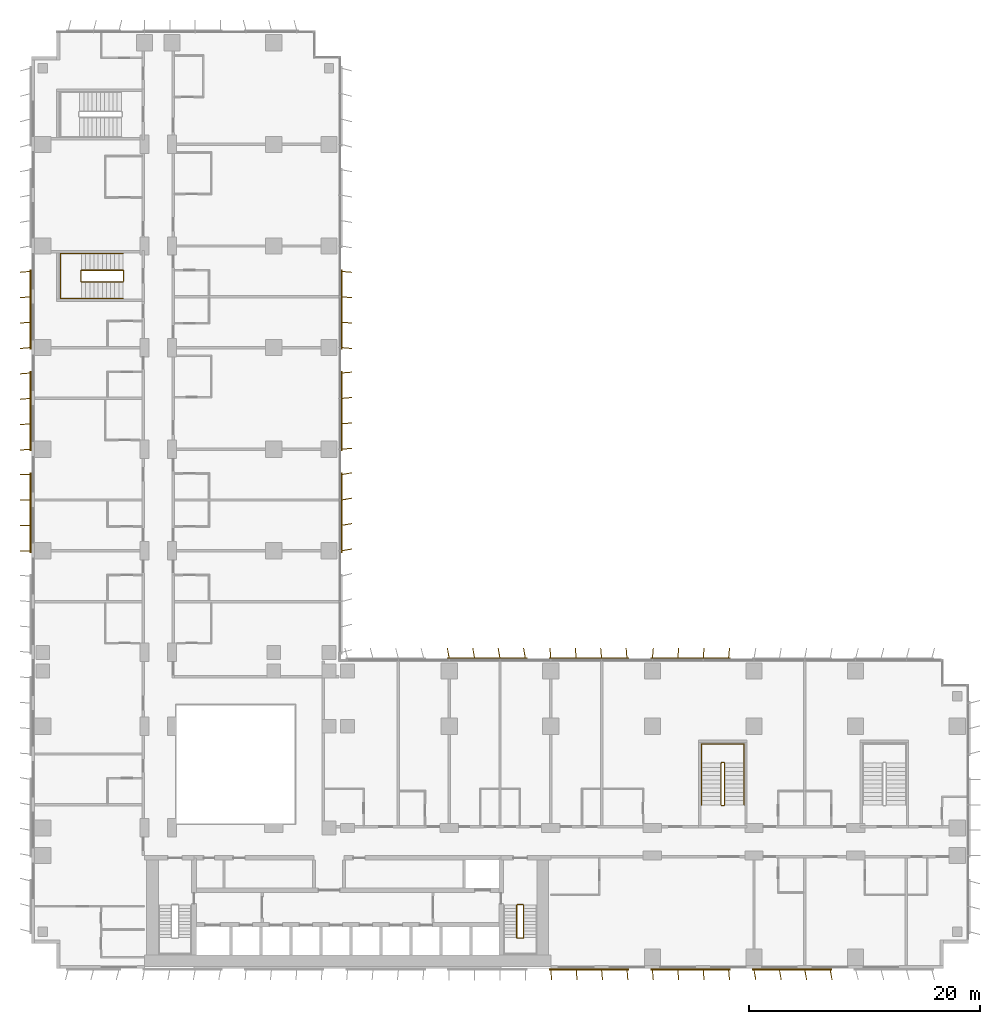
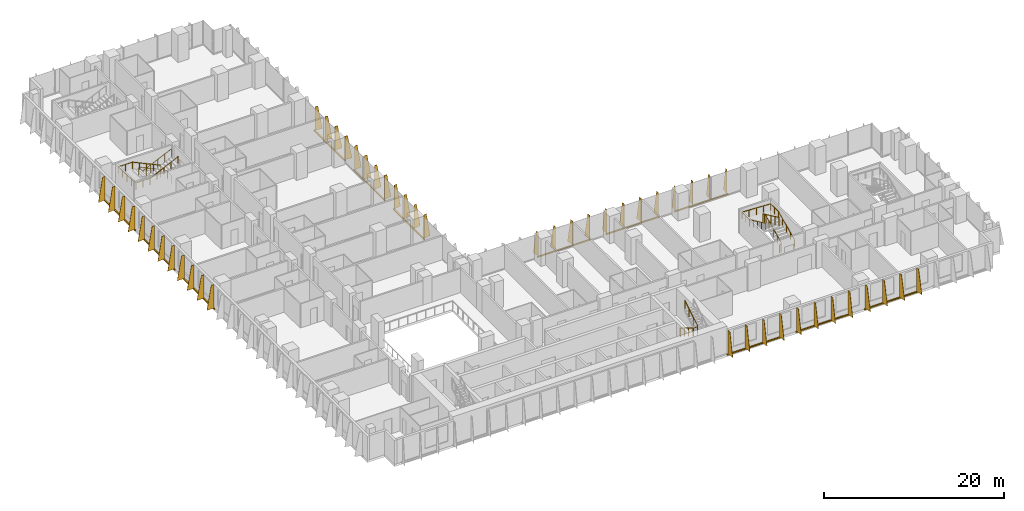
# One storey, part 21 of 23: 12 shading devices, 5 railings.
"""IFC4 building model written with IfcOpenShell, lengths in metres."""

from ifc_helpers import new_model, si_unit, direction, frame, origin, origin_2d, place, context, subcontext, project, spatial, polyline, rectangle, circle, outline, extrude, source, transform, mapped, material, layer, layer_set, type_object, element, save


model = new_model("IFC4")

# Units and contexts
model_context = context("Model", 3, precision=1e-05, world=origin(), true_north=direction((0.0, 1.0)))
body_context = subcontext(model_context, "Body", "Model", "MODEL_VIEW")
ifc_project = project(units=[si_unit("LENGTHUNIT", "METRE"), si_unit("AREAUNIT", "SQUARE_METRE"), si_unit("VOLUMEUNIT", "CUBIC_METRE"), si_unit("PLANEANGLEUNIT", "RADIAN"), si_unit("MASSUNIT", "GRAM", prefix="KILO")], contexts=[model_context])

# Site, building, storey
site_placement = place(None, origin())
site = spatial("IfcSite", under=ifc_project, at=site_placement, CompositionType="ELEMENT")
building_placement = place(site_placement, origin())
building = spatial("IfcBuilding", under=site, at=building_placement, Name="Kemantara Hotel Tower", CompositionType="ELEMENT")
storey_placement = place(building_placement, frame((0.0, 0.0, 67.300048828125)))
storey = spatial("IfcBuildingStorey", under=building, at=storey_placement, Name="L15", CompositionType="ELEMENT", Elevation=67.300048828125)

# Railings
ifc_material_1 = material(Name="Stainless steel balustrade", Category="steel")
railing_type_1 = type_object("IfcRailingType", Name="Stair guard 1100 mm", PredefinedType="GUARDRAIL", material=ifc_material_1)
railing_1_placement = place(storey_placement, frame((42.64990234375, 5.5, 3.699951171875)))
element("IfcRailing", 1, at=railing_1_placement, inside=storey, type_object=railing_type_1, Name="L15 ST2 stair guard 1", PredefinedType="GUARDRAIL", context=body_context, shape_type="SweptSolid", body=[
    extrude(circle(Radius=0.02392578125, at=origin_2d()), frame((0.0, 0.0, 1.076171875), z_axis=(0.0, -0.857242210791, -0.514913383045), x_axis=(1.0, 0.0, 0.0)), (0.0, 0.0, 1.0), 3.266357421875),
    extrude(circle(Radius=0.02392578125, at=origin_2d()), frame((0.0, -2.800048828125, -0.60595703125), z_axis=(-0.273006030465, -0.27434429532, -0.922064485248), x_axis=(0.708833529934, -0.705375805398, 0.0)), (0.0, 0.0, 1.0), 0.182373046875),
    extrude(circle(Radius=0.02392578125, at=origin_2d()), frame((-0.0498046875, -2.85009765625, -0.77392578125), z_axis=(-1.0, 0.0, 0.0), x_axis=(0.0, -1.0, 0.0)), (0.0, 0.0, 1.0), 0.5),
    extrude(circle(Radius=0.02392578125, at=origin_2d()), frame((-0.5498046875, -2.85009765625, -0.77392578125), z_axis=(-0.707106781187, 0.707106781187, 0.0), x_axis=(-0.707106781187, -0.707106781187, 0.0)), (0.0, 0.0, 1.0), 0.07080078125),
    extrude(circle(Radius=0.02392578125, at=origin_2d()), frame((-0.599853515625, -2.800048828125, -0.77392578125), z_axis=(0.0, 0.857275202839, -0.514858452973), x_axis=(-1.0, 0.0, 0.0)), (0.0, 0.0, 1.0), 3.26611328125),
    extrude(circle(Radius=0.02392578125, at=origin_2d()), frame((-0.599853515625, 0.0, -2.45556640625), z_axis=(0.274243871929, 0.274243871929, -0.92172696468), x_axis=(-0.707106781187, 0.707106781187, 0.0)), (0.0, 0.0, 1.0), 0.1826171875),
    extrude(circle(Radius=0.02392578125, at=origin_2d()), frame((-0.5498046875, 0.050048828125, -2.6240234375), z_axis=(1.0, 0.0, 0.0), x_axis=(0.0, 1.0, 0.0)), (0.0, 0.0, 1.0), 0.5),
    extrude(circle(Radius=0.02099609375, at=origin_2d()), origin(), (0.0, 0.0, 1.0), 1.052001953125),
    extrude(circle(Radius=0.02099609375, at=origin_2d()), frame((0.0, -0.933349609375, -0.560546875)), (0.0, 0.0, 1.0), 1.052001953125),
    extrude(circle(Radius=0.02099609375, at=origin_2d()), frame((0.0, -1.86669921875, -1.121337890625)), (0.0, 0.0, 1.0), 1.052001953125),
    extrude(circle(Radius=0.02099609375, at=origin_2d()), frame((0.0, -2.800048828125, -1.681884765625)), (0.0, 0.0, 1.0), 1.052001953125),
    extrude(circle(Radius=0.02099609375, at=origin_2d()), frame((-0.0498046875, -2.85009765625, -1.85009765625)), (0.0, 0.0, 1.0), 1.052001953125),
    extrude(circle(Radius=0.02099609375, at=origin_2d()), frame((-0.5498046875, -2.85009765625, -1.85009765625)), (0.0, 0.0, 1.0), 1.052001953125),
    extrude(circle(Radius=0.02099609375, at=origin_2d()), frame((-0.599853515625, -2.800048828125, -1.85009765625)), (0.0, 0.0, 1.0), 1.052001953125),
    extrude(circle(Radius=0.02099609375, at=origin_2d()), frame((-0.599853515625, -1.86669921875, -2.41064453125)), (0.0, 0.0, 1.0), 1.052001953125),
    extrude(circle(Radius=0.02099609375, at=origin_2d()), frame((-0.599853515625, -0.933349609375, -2.97119140625)), (0.0, 0.0, 1.0), 1.052001953125),
    extrude(circle(Radius=0.02099609375, at=origin_2d()), frame((-0.599853515625, 0.0, -3.53173828125)), (0.0, 0.0, 1.0), 1.052001953125),
    extrude(circle(Radius=0.02099609375, at=origin_2d()), frame((-0.5498046875, 0.050048828125, -3.699951171875)), (0.0, 0.0, 1.0), 1.052001953125),
    extrude(circle(Radius=0.02099609375, at=origin_2d()), frame((-0.0498046875, 0.050048828125, -3.699951171875)), (0.0, 0.0, 1.0), 1.052001953125),
])
railing_2_placement = place(storey_placement, frame((59.75, 14.199951171875, 3.699951171875)))
element("IfcRailing", 2, at=railing_2_placement, inside=storey, type_object=railing_type_1, Name="L15 ST3 stair guard 1", PredefinedType="GUARDRAIL", context=body_context, shape_type="SweptSolid", body=[
    extrude(circle(Radius=0.02392578125, at=origin_2d()), frame((0.0, 0.0, 1.076171875), z_axis=(0.0, 0.906005689286, -0.423265508849), x_axis=(-1.0, 0.0, 0.0)), (0.0, 0.0, 1.0), 3.9736328125),
    extrude(circle(Radius=0.02392578125, at=origin_2d()), frame((0.0, 3.60009765625, -0.60595703125), z_axis=(0.274243871929, 0.274243871929, -0.92172696468), x_axis=(-0.707106781187, 0.707106781187, 0.0)), (0.0, 0.0, 1.0), 0.1826171875),
    extrude(circle(Radius=0.02392578125, at=origin_2d()), frame((0.050048828125, 3.650146484375, -0.77392578125), z_axis=(1.0, 0.0, 0.0), x_axis=(0.0, 1.0, 0.0)), (0.0, 0.0, 1.0), 0.199951171875),
    extrude(circle(Radius=0.02392578125, at=origin_2d()), frame((0.25, 3.650146484375, -0.77392578125), z_axis=(0.707106781187, -0.707106781187, 0.0), x_axis=(0.707106781187, 0.707106781187, 0.0)), (0.0, 0.0, 1.0), 0.07080078125),
    extrude(circle(Radius=0.02392578125, at=origin_2d()), frame((0.300048828125, 3.60009765625, -0.77392578125), z_axis=(0.0, -0.906029249863, -0.423215073447), x_axis=(1.0, 0.0, 0.0)), (0.0, 0.0, 1.0), 3.973388671875),
    extrude(circle(Radius=0.02392578125, at=origin_2d()), frame((0.300048828125, 0.0, -2.45556640625), z_axis=(-0.274243871929, -0.274243871929, -0.92172696468), x_axis=(0.707106781187, -0.707106781187, 0.0)), (0.0, 0.0, 1.0), 0.1826171875),
    extrude(circle(Radius=0.02392578125, at=origin_2d()), frame((0.25, -0.050048828125, -2.6240234375), z_axis=(-1.0, 0.0, 0.0), x_axis=(0.0, -1.0, 0.0)), (0.0, 0.0, 1.0), 0.199951171875),
    extrude(circle(Radius=0.02099609375, at=origin_2d()), origin(), (0.0, 0.0, 1.0), 1.052001953125),
    extrude(circle(Radius=0.02099609375, at=origin_2d()), frame((0.0, 0.89990234375, -0.42041015625)), (0.0, 0.0, 1.0), 1.052001953125),
    extrude(circle(Radius=0.02099609375, at=origin_2d()), frame((0.0, 1.800048828125, -0.8408203125)), (0.0, 0.0, 1.0), 1.052001953125),
    extrude(circle(Radius=0.02099609375, at=origin_2d()), frame((0.0, 2.7001953125, -1.261474609375)), (0.0, 0.0, 1.0), 1.052001953125),
    extrude(circle(Radius=0.02099609375, at=origin_2d()), frame((0.0, 3.60009765625, -1.681884765625)), (0.0, 0.0, 1.0), 1.052001953125),
    extrude(circle(Radius=0.02099609375, at=origin_2d()), frame((0.050048828125, 3.650146484375, -1.85009765625)), (0.0, 0.0, 1.0), 1.052001953125),
    extrude(circle(Radius=0.02099609375, at=origin_2d()), frame((0.25, 3.650146484375, -1.85009765625)), (0.0, 0.0, 1.0), 1.052001953125),
    extrude(circle(Radius=0.02099609375, at=origin_2d()), frame((0.300048828125, 3.60009765625, -1.85009765625)), (0.0, 0.0, 1.0), 1.052001953125),
    extrude(circle(Radius=0.02099609375, at=origin_2d()), frame((0.300048828125, 2.7001953125, -2.2705078125)), (0.0, 0.0, 1.0), 1.052001953125),
    extrude(circle(Radius=0.02099609375, at=origin_2d()), frame((0.300048828125, 1.800048828125, -2.69091796875)), (0.0, 0.0, 1.0), 1.052001953125),
    extrude(circle(Radius=0.02099609375, at=origin_2d()), frame((0.300048828125, 0.89990234375, -3.111328125)), (0.0, 0.0, 1.0), 1.052001953125),
    extrude(circle(Radius=0.02099609375, at=origin_2d()), frame((0.300048828125, 0.0, -3.53173828125)), (0.0, 0.0, 1.0), 1.052001953125),
    extrude(circle(Radius=0.02099609375, at=origin_2d()), frame((0.25, -0.050048828125, -3.699951171875)), (0.0, 0.0, 1.0), 1.052001953125),
    extrude(circle(Radius=0.02099609375, at=origin_2d()), frame((0.050048828125, -0.050048828125, -3.699951171875)), (0.0, 0.0, 1.0), 1.052001953125),
])
railing_3_placement = place(storey_placement, frame((7.949951171875, 59.5, 3.699951171875)))
element("IfcRailing", 3, at=railing_3_placement, inside=storey, type_object=railing_type_1, Name="L15 ST4 stair guard 1", PredefinedType="GUARDRAIL", context=body_context, shape_type="SweptSolid", body=[
    extrude(circle(Radius=0.02392578125, at=origin_2d()), frame((0.0, 0.0, 1.076171875), z_axis=(-0.905994681025, 0.0, -0.423289071386), x_axis=(0.0, -1.0, 0.0)), (0.0, 0.0, 1.0), 3.973388671875),
    extrude(circle(Radius=0.02392578125, at=origin_2d()), frame((-3.599853515625, 0.0, -0.60595703125), z_axis=(-0.274243871929, 0.274243871929, -0.92172696468), x_axis=(-0.707106781187, -0.707106781187, 0.0)), (0.0, 0.0, 1.0), 0.1826171875),
    extrude(circle(Radius=0.02392578125, at=origin_2d()), frame((-3.64990234375, 0.050048828125, -0.77392578125), z_axis=(0.0, 1.0, 0.0), x_axis=(-1.0, 0.0, 0.0)), (0.0, 0.0, 1.0), 0.89990234375),
    extrude(circle(Radius=0.02392578125, at=origin_2d()), frame((-3.64990234375, 0.949951171875, -0.77392578125), z_axis=(0.707106781187, 0.707106781187, 0.0), x_axis=(-0.707106781187, 0.707106781187, 0.0)), (0.0, 0.0, 1.0), 0.07080078125),
    extrude(circle(Radius=0.02392578125, at=origin_2d()), frame((-3.599853515625, 1.0, -0.77392578125), z_axis=(0.906018243939, 0.0, -0.423238634402), x_axis=(0.0, 1.0, 0.0)), (0.0, 0.0, 1.0), 3.973388671875),
    extrude(circle(Radius=0.02392578125, at=origin_2d()), frame((0.0, 1.0, -2.45556640625), z_axis=(0.274243871929, -0.274243871929, -0.92172696468), x_axis=(0.707106781187, 0.707106781187, 0.0)), (0.0, 0.0, 1.0), 0.1826171875),
    extrude(circle(Radius=0.02392578125, at=origin_2d()), frame((0.050048828125, 0.949951171875, -2.6240234375), z_axis=(0.0, -1.0, 0.0), x_axis=(1.0, 0.0, 0.0)), (0.0, 0.0, 1.0), 0.89990234375),
    extrude(circle(Radius=0.02099609375, at=origin_2d()), origin(), (0.0, 0.0, 1.0), 1.052001953125),
    extrude(circle(Radius=0.02099609375, at=origin_2d()), frame((-0.89990234375, 0.0, -0.42041015625)), (0.0, 0.0, 1.0), 1.052001953125),
    extrude(circle(Radius=0.02099609375, at=origin_2d()), frame((-1.7998046875, 0.0, -0.8408203125)), (0.0, 0.0, 1.0), 1.052001953125),
    extrude(circle(Radius=0.02099609375, at=origin_2d()), frame((-2.699951171875, 0.0, -1.261474609375)), (0.0, 0.0, 1.0), 1.052001953125),
    extrude(circle(Radius=0.02099609375, at=origin_2d()), frame((-3.599853515625, 0.0, -1.681884765625)), (0.0, 0.0, 1.0), 1.052001953125),
    extrude(circle(Radius=0.02099609375, at=origin_2d()), frame((-3.64990234375, 0.050048828125, -1.85009765625)), (0.0, 0.0, 1.0), 1.052001953125),
    extrude(circle(Radius=0.02099609375, at=origin_2d()), frame((-3.64990234375, 0.949951171875, -1.85009765625)), (0.0, 0.0, 1.0), 1.052001953125),
    extrude(circle(Radius=0.02099609375, at=origin_2d()), frame((-3.599853515625, 1.0, -1.85009765625)), (0.0, 0.0, 1.0), 1.052001953125),
    extrude(circle(Radius=0.02099609375, at=origin_2d()), frame((-2.699951171875, 1.0, -2.2705078125)), (0.0, 0.0, 1.0), 1.052001953125),
    extrude(circle(Radius=0.02099609375, at=origin_2d()), frame((-1.7998046875, 1.0, -2.69091796875)), (0.0, 0.0, 1.0), 1.052001953125),
    extrude(circle(Radius=0.02099609375, at=origin_2d()), frame((-0.89990234375, 1.0, -3.111328125)), (0.0, 0.0, 1.0), 1.052001953125),
    extrude(circle(Radius=0.02099609375, at=origin_2d()), frame((0.0, 1.0, -3.53173828125)), (0.0, 0.0, 1.0), 1.052001953125),
    extrude(circle(Radius=0.02099609375, at=origin_2d()), frame((0.050048828125, 0.949951171875, -3.699951171875)), (0.0, 0.0, 1.0), 1.052001953125),
    extrude(circle(Radius=0.02099609375, at=origin_2d()), frame((0.050048828125, 0.050048828125, -3.699951171875)), (0.0, 0.0, 1.0), 1.052001953125),
])
railing_type_2 = type_object("IfcRailingType", Name="Stair handrail 900 mm", PredefinedType="HANDRAIL", material=ifc_material_1)
railing_4_placement = place(storey_placement, frame((61.75, 14.199951171875, 0.168212890625)))
element("IfcRailing", 4, at=railing_4_placement, inside=storey, type_object=railing_type_2, Name="L15 ST3 stair handrail 1", PredefinedType="HANDRAIL", context=body_context, shape_type="SweptSolid", body=[
    extrude(circle(Radius=0.02392578125, at=origin_2d()), frame((0.0, 0.0, 0.8759765625), z_axis=(0.0, 0.906029249863, 0.423215073447), x_axis=(-1.0, 0.0, 0.0)), (0.0, 0.0, 1.0), 3.973388671875),
    extrude(circle(Radius=0.02392578125, at=origin_2d()), frame((0.0, 3.60009765625, 2.5576171875), z_axis=(0.0, 1.0, 0.0), x_axis=(-1.0, 0.0, 0.0)), (0.0, 0.0, 1.0), 1.679931640625),
    extrude(circle(Radius=0.02392578125, at=origin_2d()), frame((0.0, 5.280029296875, 2.5576171875), z_axis=(-0.998968132438, 0.0, 0.045416631029), x_axis=(0.0, -1.0, 0.0)), (0.0, 0.0, 1.0), 3.703857421875),
    extrude(circle(Radius=0.02392578125, at=origin_2d()), frame((-3.699951171875, 5.280029296875, 2.7255859375), z_axis=(0.0, -1.0, 0.0), x_axis=(1.0, 0.0, 0.0)), (0.0, 0.0, 1.0), 1.679931640625),
    extrude(circle(Radius=0.02392578125, at=origin_2d()), frame((-3.699951171875, 3.60009765625, 2.7255859375), z_axis=(0.0, -0.906005689286, 0.423265508849), x_axis=(1.0, 0.0, 0.0)), (0.0, 0.0, 1.0), 3.9736328125),
    extrude(circle(Radius=0.02099609375, at=origin_2d()), origin(), (0.0, 0.0, 1.0), 0.851806640625),
    extrude(circle(Radius=0.02099609375, at=origin_2d()), frame((0.0, 0.89990234375, 0.42041015625)), (0.0, 0.0, 1.0), 0.851806640625),
    extrude(circle(Radius=0.02099609375, at=origin_2d()), frame((0.0, 1.800048828125, 0.8408203125)), (0.0, 0.0, 1.0), 0.851806640625),
    extrude(circle(Radius=0.02099609375, at=origin_2d()), frame((0.0, 2.7001953125, 1.26123046875)), (0.0, 0.0, 1.0), 0.851806640625),
    extrude(circle(Radius=0.02099609375, at=origin_2d()), frame((0.0, 3.60009765625, 1.681640625)), (0.0, 0.0, 1.0), 0.851806640625),
    extrude(circle(Radius=0.02099609375, at=origin_2d()), frame((0.0, 4.43994140625, 1.681640625)), (0.0, 0.0, 1.0), 0.851806640625),
    extrude(circle(Radius=0.02099609375, at=origin_2d()), frame((0.0, 5.280029296875, 1.681640625)), (0.0, 0.0, 1.0), 0.851806640625),
    extrude(circle(Radius=0.02099609375, at=origin_2d()), frame((-0.925048828125, 5.280029296875, 1.7236328125)), (0.0, 0.0, 1.0), 0.851806640625),
    extrude(circle(Radius=0.02099609375, at=origin_2d()), frame((-1.85009765625, 5.280029296875, 1.765625)), (0.0, 0.0, 1.0), 0.851806640625),
    extrude(circle(Radius=0.02099609375, at=origin_2d()), frame((-2.77490234375, 5.280029296875, 1.807861328125)), (0.0, 0.0, 1.0), 0.851806640625),
    extrude(circle(Radius=0.02099609375, at=origin_2d()), frame((-3.699951171875, 5.280029296875, 1.849853515625)), (0.0, 0.0, 1.0), 0.851806640625),
    extrude(circle(Radius=0.02099609375, at=origin_2d()), frame((-3.699951171875, 4.43994140625, 1.849853515625)), (0.0, 0.0, 1.0), 0.851806640625),
    extrude(circle(Radius=0.02099609375, at=origin_2d()), frame((-3.699951171875, 3.60009765625, 1.849853515625)), (0.0, 0.0, 1.0), 0.851806640625),
    extrude(circle(Radius=0.02099609375, at=origin_2d()), frame((-3.699951171875, 2.7001953125, 2.270263671875)), (0.0, 0.0, 1.0), 0.851806640625),
    extrude(circle(Radius=0.02099609375, at=origin_2d()), frame((-3.699951171875, 1.800048828125, 2.69091796875)), (0.0, 0.0, 1.0), 0.851806640625),
    extrude(circle(Radius=0.02099609375, at=origin_2d()), frame((-3.699951171875, 0.89990234375, 3.111328125)), (0.0, 0.0, 1.0), 0.851806640625),
    extrude(circle(Radius=0.02099609375, at=origin_2d()), frame((-3.699951171875, 0.0, 3.53173828125)), (0.0, 0.0, 1.0), 0.851806640625),
])
railing_5_placement = place(storey_placement, frame((7.949951171875, 61.949951171875, 0.168212890625)))
element("IfcRailing", 5, at=railing_5_placement, inside=storey, type_object=railing_type_2, Name="L15 ST4 stair handrail 1", PredefinedType="HANDRAIL", context=body_context, shape_type="SweptSolid", body=[
    extrude(circle(Radius=0.02392578125, at=origin_2d()), frame((0.0, 0.0, 0.8759765625), z_axis=(-0.906018243939, 0.0, 0.423238634402), x_axis=(0.0, -1.0, 0.0)), (0.0, 0.0, 1.0), 3.973388671875),
    extrude(circle(Radius=0.02392578125, at=origin_2d()), frame((-3.599853515625, 0.0, 2.5576171875), z_axis=(-1.0, 0.0, 0.0), x_axis=(0.0, -1.0, 0.0)), (0.0, 0.0, 1.0), 1.830078125),
    extrude(circle(Radius=0.02392578125, at=origin_2d()), frame((-5.429931640625, 0.0, 2.5576171875), z_axis=(0.0, -0.999071085748, 0.043092523981), x_axis=(1.0, 0.0, 0.0)), (0.0, 0.0, 1.0), 3.903564453125),
    extrude(circle(Radius=0.02392578125, at=origin_2d()), frame((-5.429931640625, -3.89990234375, 2.7255859375), z_axis=(1.0, 0.0, 0.0), x_axis=(0.0, 1.0, 0.0)), (0.0, 0.0, 1.0), 1.830078125),
    extrude(circle(Radius=0.02392578125, at=origin_2d()), frame((-3.599853515625, -3.89990234375, 2.7255859375), z_axis=(0.905994681025, 0.0, 0.423289071386), x_axis=(0.0, 1.0, 0.0)), (0.0, 0.0, 1.0), 3.973388671875),
    extrude(circle(Radius=0.02099609375, at=origin_2d()), origin(), (0.0, 0.0, 1.0), 0.851806640625),
    extrude(circle(Radius=0.02099609375, at=origin_2d()), frame((-0.89990234375, 0.0, 0.42041015625)), (0.0, 0.0, 1.0), 0.851806640625),
    extrude(circle(Radius=0.02099609375, at=origin_2d()), frame((-1.7998046875, 0.0, 0.8408203125)), (0.0, 0.0, 1.0), 0.851806640625),
    extrude(circle(Radius=0.02099609375, at=origin_2d()), frame((-2.699951171875, 0.0, 1.26123046875)), (0.0, 0.0, 1.0), 0.851806640625),
    extrude(circle(Radius=0.02099609375, at=origin_2d()), frame((-3.599853515625, 0.0, 1.681640625)), (0.0, 0.0, 1.0), 0.851806640625),
    extrude(circle(Radius=0.02099609375, at=origin_2d()), frame((-4.514892578125, 0.0, 1.681640625)), (0.0, 0.0, 1.0), 0.851806640625),
    extrude(circle(Radius=0.02099609375, at=origin_2d()), frame((-5.429931640625, 0.0, 1.681640625)), (0.0, 0.0, 1.0), 0.851806640625),
    extrude(circle(Radius=0.02099609375, at=origin_2d()), frame((-5.429931640625, -0.97509765625, 1.7236328125)), (0.0, 0.0, 1.0), 0.851806640625),
    extrude(circle(Radius=0.02099609375, at=origin_2d()), frame((-5.429931640625, -1.949951171875, 1.765625)), (0.0, 0.0, 1.0), 0.851806640625),
    extrude(circle(Radius=0.02099609375, at=origin_2d()), frame((-5.429931640625, -2.9248046875, 1.807861328125)), (0.0, 0.0, 1.0), 0.851806640625),
    extrude(circle(Radius=0.02099609375, at=origin_2d()), frame((-5.429931640625, -3.89990234375, 1.849853515625)), (0.0, 0.0, 1.0), 0.851806640625),
    extrude(circle(Radius=0.02099609375, at=origin_2d()), frame((-4.514892578125, -3.89990234375, 1.849853515625)), (0.0, 0.0, 1.0), 0.851806640625),
    extrude(circle(Radius=0.02099609375, at=origin_2d()), frame((-3.599853515625, -3.89990234375, 1.849853515625)), (0.0, 0.0, 1.0), 0.851806640625),
    extrude(circle(Radius=0.02099609375, at=origin_2d()), frame((-2.699951171875, -3.89990234375, 2.270263671875)), (0.0, 0.0, 1.0), 0.851806640625),
    extrude(circle(Radius=0.02099609375, at=origin_2d()), frame((-1.7998046875, -3.89990234375, 2.69091796875)), (0.0, 0.0, 1.0), 0.851806640625),
    extrude(circle(Radius=0.02099609375, at=origin_2d()), frame((-0.89990234375, -3.89990234375, 3.111328125)), (0.0, 0.0, 1.0), 0.851806640625),
    extrude(circle(Radius=0.02099609375, at=origin_2d()), frame((0.0, -3.89990234375, 3.53173828125)), (0.0, 0.0, 1.0), 0.851806640625),
])

# Shading devices
ifc_material_2 = material(Name="Perforated aluminium plate 4 mm bronze anodised", Category="aluminium")
ifc_layer_1 = layer(ifc_material_2, 0.0400390625)
ifc_layer_set_1 = layer_set([ifc_layer_1], Name="Perforated aluminium plate 4 mm bronze anodised")
shading_device_type_1 = type_object("IfcShadingDeviceType", Name="SCREEN FIN CASSETTE, 4 BLADES AT -5.0 DEG, 3200 HIGH", PredefinedType="USERDEFINED", material=ifc_layer_set_1)
shared_shape_1 = source(origin(), body_context, "Body", "SweptSolid", [
    extrude(rectangle(XDim=6.89990234375, YDim=0.14990234375, at=origin_2d()), frame((3.300048828125, -0.074951171875, -0.14990234375), z_axis=(0.0, 0.0, 1.0), x_axis=(1.0, 0.0, 0.0)), (0.0, 0.0, 1.0), 0.14990234375),
    extrude(outline(polyline([(0.0, 0.0), (0.89990234375, 0.0), (0.35009765625, 3.199951171875), (0.0, 3.199951171875), (0.0, 0.0)])), frame((0.02001953125, -0.07666015625, 0.0), z_axis=(-0.996376129781, 0.085056498884, 0.0), x_axis=(-0.085056498884, -0.996376129781, 0.0)), (0.0, 0.0, 1.0), 0.040283203125),
    extrude(outline(polyline([(0.0, 0.0), (0.89990234375, 0.0), (0.35009765625, 3.199951171875), (0.0, 3.199951171875), (0.0, 0.0)])), frame((2.219970703125, -0.07666015625, 0.0), z_axis=(-0.996331773833, 0.085574508182, 0.0), x_axis=(-0.085574508182, -0.996331773833, 0.0)), (0.0, 0.0, 1.0), 0.0400390625),
    extrude(outline(polyline([(0.0, 0.0), (0.89990234375, 0.0), (0.35009765625, 3.199951171875), (0.0, 3.199951171875), (0.0, 0.0)])), frame((4.419921875, -0.07666015625, 0.0), z_axis=(-0.996331773833, 0.085574508182, 0.0), x_axis=(-0.085574508182, -0.996331773833, 0.0)), (0.0, 0.0, 1.0), 0.0400390625),
    extrude(outline(polyline([(0.0, 0.0), (0.89990234375, 0.0), (0.35009765625, 3.199951171875), (0.0, 3.199951171875), (0.0, 0.0)])), frame((6.619873046875, -0.07666015625, 0.0), z_axis=(-0.996331773833, 0.085574508182, 0.0), x_axis=(-0.085574508182, -0.996331773833, 0.0)), (0.0, 0.0, 1.0), 0.0400390625),
])
for number, where, z_axis, x_axis, name in (
    (6, (60.39990234375, 26.800048828125, 0.099853515625), (0.0, 0.0, 1.0), (-1.0, 0.0, 0.0), "SCREEN FIN CASSETTE L15 T1-R07-3"),
    (7, (26.800048828125, 53.800048828125, 0.099853515625), (0.0, 0.0, 1.0), (0.0, 1.0, 0.0), "SCREEN FIN CASSETTE L15 T1-R08-4"),
):
    element("IfcShadingDevice", number, at=place(storey_placement, frame(where, z_axis=z_axis, x_axis=x_axis)), inside=storey, type_object=shading_device_type_1, Name=name, ObjectType="SCREEN FIN", PredefinedType="USERDEFINED", context=body_context, shape_type="MappedRepresentation", body=[
        mapped(shared_shape_1, transform((0.0, 0.0, 0.0))),
    ])
ifc_layer_2 = layer(ifc_material_2, 0.0400390625)
ifc_layer_set_2 = layer_set([ifc_layer_2], Name="Perforated aluminium plate 4 mm bronze anodised")
shading_device_type_2 = type_object("IfcShadingDeviceType", Name="SCREEN FIN CASSETTE, 4 BLADES AT +0.0 DEG, 3200 HIGH", PredefinedType="USERDEFINED", material=ifc_layer_set_2)
shared_shape_2 = source(origin(), body_context, "Body", "SweptSolid", [
    extrude(rectangle(XDim=6.89990234375, YDim=0.14990234375, at=origin_2d()), frame((3.300048828125, -0.074951171875, -0.14990234375), z_axis=(0.0, 0.0, 1.0), x_axis=(1.0, 0.0, 0.0)), (0.0, 0.0, 1.0), 0.14990234375),
    extrude(outline(polyline([(0.0, 0.0), (0.89990234375, 0.0), (0.35009765625, 3.199951171875), (0.0, 3.199951171875), (0.0, 0.0)])), frame((0.02001953125, -0.074951171875, 0.0), z_axis=(-1.0, 0.0, 0.0), x_axis=(0.0, -1.0, 0.0)), (0.0, 0.0, 1.0), 0.0400390625),
    extrude(outline(polyline([(0.0, 0.0), (0.89990234375, 0.0), (0.35009765625, 3.199951171875), (0.0, 3.199951171875), (0.0, 0.0)])), frame((2.219970703125, -0.074951171875, 0.0), z_axis=(-1.0, 0.0, 0.0), x_axis=(0.0, -1.0, 0.0)), (0.0, 0.0, 1.0), 0.0400390625),
    extrude(outline(polyline([(0.0, 0.0), (0.89990234375, 0.0), (0.35009765625, 3.199951171875), (0.0, 3.199951171875), (0.0, 0.0)])), frame((4.419921875, -0.074951171875, 0.0), z_axis=(-1.0, 0.0, 0.0), x_axis=(0.0, -1.0, 0.0)), (0.0, 0.0, 1.0), 0.0400390625),
    extrude(outline(polyline([(0.0, 0.0), (0.89990234375, 0.0), (0.35009765625, 3.199951171875), (0.0, 3.199951171875), (0.0, 0.0)])), frame((6.6201171875, -0.074951171875, 0.0), z_axis=(-1.0, 0.0, 0.0), x_axis=(0.0, -1.0, 0.0)), (0.0, 0.0, 1.0), 0.0400390625),
])
shading_device_placement = place(storey_placement, frame((0.0, 42.800048828125, 0.099853515625), z_axis=(0.0, 0.0, 1.0), x_axis=(0.0, -1.0, 0.0)))
element("IfcShadingDevice", 8, at=shading_device_placement, inside=storey, type_object=shading_device_type_2, Name="SCREEN FIN CASSETTE L15 T1-R14-5", ObjectType="SCREEN FIN", PredefinedType="USERDEFINED", context=body_context, shape_type="MappedRepresentation", body=[
    mapped(shared_shape_2, transform((0.0, 0.0, 0.0))),
])
ifc_layer_3 = layer(ifc_material_2, 0.0400390625)
ifc_layer_set_3 = layer_set([ifc_layer_3], Name="Perforated aluminium plate 4 mm bronze anodised")
shading_device_type_3 = type_object("IfcShadingDeviceType", Name="SCREEN FIN CASSETTE, 4 BLADES AT +5.0 DEG, 3200 HIGH", PredefinedType="USERDEFINED", material=ifc_layer_set_3)
shared_shape_3 = source(origin(), body_context, "Body", "SweptSolid", [
    extrude(rectangle(XDim=6.89990234375, YDim=0.14990234375, at=origin_2d()), frame((3.300048828125, -0.074951171875, -0.14990234375), z_axis=(0.0, 0.0, 1.0), x_axis=(1.0, 0.0, 0.0)), (0.0, 0.0, 1.0), 0.14990234375),
    extrude(outline(polyline([(0.0, 0.0), (0.89990234375, 0.0), (0.35009765625, 3.199951171875), (0.0, 3.199951171875), (0.0, 0.0)])), frame((0.02001953125, -0.0732421875, 0.0), z_axis=(-0.996376129781, -0.085056498884, 0.0), x_axis=(0.085056498884, -0.996376129781, 0.0)), (0.0, 0.0, 1.0), 0.040283203125),
    extrude(outline(polyline([(0.0, 0.0), (0.89990234375, 0.0), (0.35009765625, 3.199951171875), (0.0, 3.199951171875), (0.0, 0.0)])), frame((2.219970703125, -0.0732421875, 0.0), z_axis=(-0.996331773833, -0.085574508182, 0.0), x_axis=(0.085574508182, -0.996331773833, 0.0)), (0.0, 0.0, 1.0), 0.0400390625),
    extrude(outline(polyline([(0.0, 0.0), (0.89990234375, 0.0), (0.35009765625, 3.199951171875), (0.0, 3.199951171875), (0.0, 0.0)])), frame((4.419921875, -0.0732421875, 0.0), z_axis=(-0.996331773833, -0.085574508182, 0.0), x_axis=(0.085574508182, -0.996331773833, 0.0)), (0.0, 0.0, 1.0), 0.0400390625),
    extrude(outline(polyline([(0.0, 0.0), (0.89990234375, 0.0), (0.35009765625, 3.199951171875), (0.0, 3.199951171875), (0.0, 0.0)])), frame((6.619873046875, -0.0732421875, 0.0), z_axis=(-0.996331773833, -0.085574508182, 0.0), x_axis=(0.085574508182, -0.996331773833, 0.0)), (0.0, 0.0, 1.0), 0.0400390625),
])
for number, where, z_axis, x_axis, name in (
    (9, (45.0, 0.0, 0.099853515625), (0.0, 0.0, 1.0), (1.0, 0.0, 0.0), "SCREEN FIN CASSETTE L15 T1-R01-6"),
    (10, (53.800048828125, 0.0, 0.099853515625), (0.0, 0.0, 1.0), (1.0, 0.0, 0.0), "SCREEN FIN CASSETTE L15 T1-R01-7"),
    (11, (51.60009765625, 26.800048828125, 0.099853515625), (0.0, 0.0, 1.0), (-1.0, 0.0, 0.0), "SCREEN FIN CASSETTE L15 T1-R07-4"),
    (12, (26.800048828125, 45.0, 0.099853515625), (0.0, 0.0, 1.0), (0.0, 1.0, 0.0), "SCREEN FIN CASSETTE L15 T1-R08-3"),
    (13, (0.0, 60.39990234375, 0.099853515625), (0.0, 0.0, 1.0), (0.0, -1.0, 0.0), "SCREEN FIN CASSETTE L15 T1-R14-3"),
    (14, (0.0, 51.60009765625, 0.099853515625), (0.0, 0.0, 1.0), (0.0, -1.0, 0.0), "SCREEN FIN CASSETTE L15 T1-R14-4"),
):
    element("IfcShadingDevice", number, at=place(storey_placement, frame(where, z_axis=z_axis, x_axis=x_axis)), inside=storey, type_object=shading_device_type_3, Name=name, ObjectType="SCREEN FIN", PredefinedType="USERDEFINED", context=body_context, shape_type="MappedRepresentation", body=[
        mapped(shared_shape_3, transform((0.0, 0.0, 0.0))),
    ])
ifc_layer_4 = layer(ifc_material_2, 0.0400390625)
ifc_layer_set_4 = layer_set([ifc_layer_4], Name="Perforated aluminium plate 4 mm bronze anodised")
shading_device_type_4 = type_object("IfcShadingDeviceType", Name="SCREEN FIN CASSETTE, 4 BLADES AT +10.0 DEG, 3200 HIGH", PredefinedType="USERDEFINED", material=ifc_layer_set_4)
shared_shape_4 = source(origin(), body_context, "Body", "SweptSolid", [
    extrude(rectangle(XDim=6.89990234375, YDim=0.14990234375, at=origin_2d()), frame((3.300048828125, -0.074951171875, -0.14990234375), z_axis=(0.0, 0.0, 1.0), x_axis=(1.0, 0.0, 0.0)), (0.0, 0.0, 1.0), 0.14990234375),
    extrude(outline(polyline([(0.0, 0.0), (0.89990234375, 0.0), (0.35009765625, 3.199951171875), (0.0, 3.199951171875), (0.0, 0.0)])), frame((0.019775390625, -0.071533203125, 0.0), z_axis=(-0.985389793052, -0.170314285219, 0.0), x_axis=(0.170314285219, -0.985389793052, 0.0)), (0.0, 0.0, 1.0), 0.0400390625),
    extrude(outline(polyline([(0.0, 0.0), (0.89990234375, 0.0), (0.35009765625, 3.199951171875), (0.0, 3.199951171875), (0.0, 0.0)])), frame((2.2197265625, -0.071533203125, 0.0), z_axis=(-0.98521175482, -0.171341174751, 0.0), x_axis=(0.171341174751, -0.98521175482, 0.0)), (0.0, 0.0, 1.0), 0.039794921875),
    extrude(outline(polyline([(0.0, 0.0), (0.89990234375, 0.0), (0.35009765625, 3.199951171875), (0.0, 3.199951171875), (0.0, 0.0)])), frame((4.419677734375, -0.071533203125, 0.0), z_axis=(-0.98521175482, -0.171341174751, 0.0), x_axis=(0.171341174751, -0.98521175482, 0.0)), (0.0, 0.0, 1.0), 0.039794921875),
    extrude(outline(polyline([(0.0, 0.0), (0.89990234375, 0.0), (0.35009765625, 3.199951171875), (0.0, 3.199951171875), (0.0, 0.0)])), frame((6.61962890625, -0.071533203125, 0.0), z_axis=(-0.98521175482, -0.171341174751, 0.0), x_axis=(0.171341174751, -0.98521175482, 0.0)), (0.0, 0.0, 1.0), 0.039794921875),
])
for number, where, z_axis, x_axis, name in (
    (15, (62.60009765625, 0.0, 0.099853515625), (0.0, 0.0, 1.0), (1.0, 0.0, 0.0), "SCREEN FIN CASSETTE L15 T1-R01-8"),
    (16, (42.800048828125, 26.800048828125, 0.099853515625), (0.0, 0.0, 1.0), (-1.0, 0.0, 0.0), "SCREEN FIN CASSETTE L15 T1-R07-5"),
    (17, (26.800048828125, 36.199951171875, 0.099853515625), (0.0, 0.0, 1.0), (0.0, 1.0, 0.0), "SCREEN FIN CASSETTE L15 T1-R08-2"),
):
    element("IfcShadingDevice", number, at=place(storey_placement, frame(where, z_axis=z_axis, x_axis=x_axis)), inside=storey, type_object=shading_device_type_4, Name=name, ObjectType="SCREEN FIN", PredefinedType="USERDEFINED", context=body_context, shape_type="MappedRepresentation", body=[
        mapped(shared_shape_4, transform((0.0, 0.0, 0.0))),
    ])

save(model, "model.ifc")
